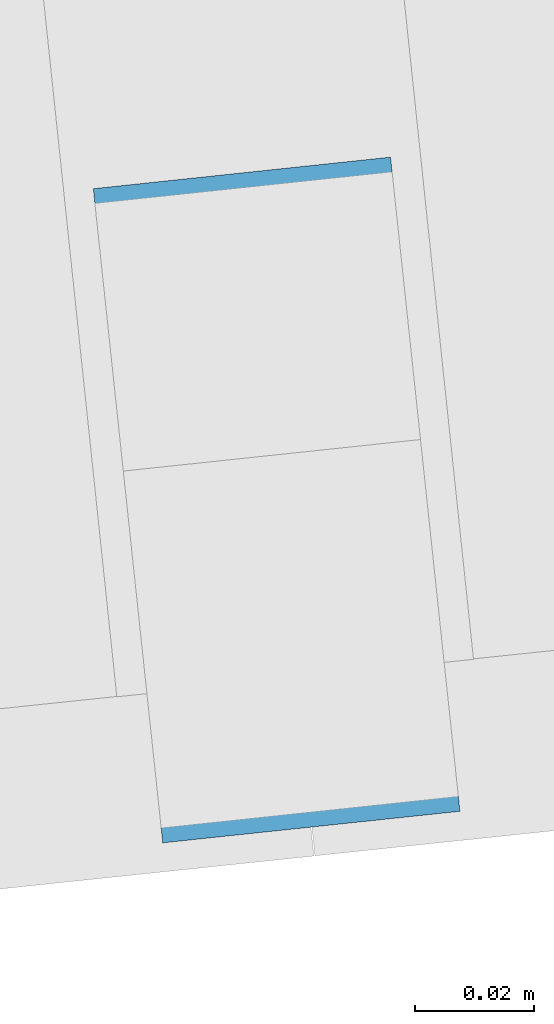
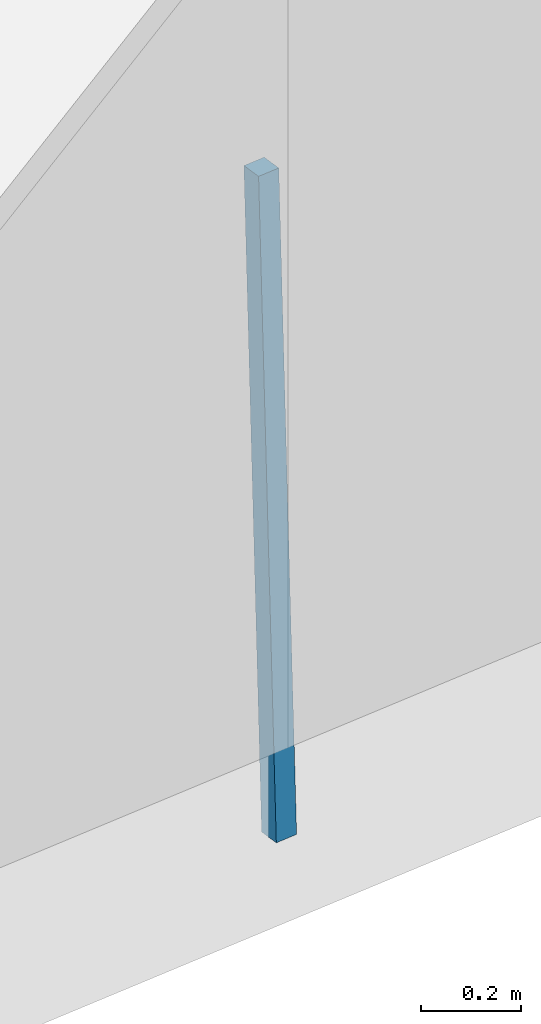
# One storey, part 23 of 41: 1 discrete accessory.
"""IFC4 building model written with IfcOpenShell, lengths in metres."""

from ifc_helpers import new_model, si_unit, direction, frame, origin, origin_2d, place, context, subcontext, project, spatial, rectangle, extrude, material, material_profile, profile_set, type_object, element, save


model = new_model("IFC4")

# Units and contexts
model_context = context("Model", 3, precision=1e-05, world=origin(), true_north=direction((0.0, 1.0)))
body_context = subcontext(model_context, "Body", "Model", "MODEL_VIEW")
ifc_project = project(units=[si_unit("LENGTHUNIT", "METRE"), si_unit("AREAUNIT", "SQUARE_METRE"), si_unit("VOLUMEUNIT", "CUBIC_METRE"), si_unit("PLANEANGLEUNIT", "RADIAN"), si_unit("MASSUNIT", "GRAM", prefix="KILO")], contexts=[model_context])

# Site, building, storey
site_placement = place(None, origin())
site = spatial("IfcSite", under=ifc_project, at=site_placement, CompositionType="ELEMENT")
building_placement = place(site_placement, origin())
building = spatial("IfcBuilding", under=site, at=building_placement, Name="Hakoniwa Tower and Hamabe Station Hall", CompositionType="ELEMENT")
storey_placement = place(building_placement, frame((0.0, 0.0, 276.60009765625)))
storey = spatial("IfcBuildingStorey", under=building, at=storey_placement, Name="L77", CompositionType="ELEMENT", Elevation=276.60009765625)

# Discrete accessory
ifc_material = material(Name="Stainless steel SUS304", Category="steel")
ifc_material_profile = material_profile(ifc_material, rectangle(XDim=0.050048828125, YDim=0.050048828125, at=origin_2d()), Name="CW-4 GLAZING BRACKET 50X50")
ifc_profile_set = profile_set([ifc_material_profile], Name="Stainless steel SUS304")
discrete_accessory_type = type_object("IfcDiscreteAccessoryType", Name="CW-4 GLAZING BRACKET 50X50", PredefinedType="BRACKET", material=ifc_profile_set)
discrete_accessory_placement = place(storey_placement, frame((13.796142578125, -13.354736328125, 1.366455078125), z_axis=(0.003985496449, -0.037555639615, -0.999286590399), x_axis=(0.994416132921, 0.10552987533, 0.0)))
element("IfcDiscreteAccessory", 1, at=discrete_accessory_placement, inside=storey, type_object=discrete_accessory_type, Name="Glazing bracket", PredefinedType="BRACKET", context=body_context, shape_type="SweptSolid", body=[
    extrude(rectangle(XDim=0.050048828125, YDim=0.050048828125, at=origin_2d()), origin(), (0.0, 0.0, 1.0), 1.5927734375),
])

save(model, "model.ifc")
